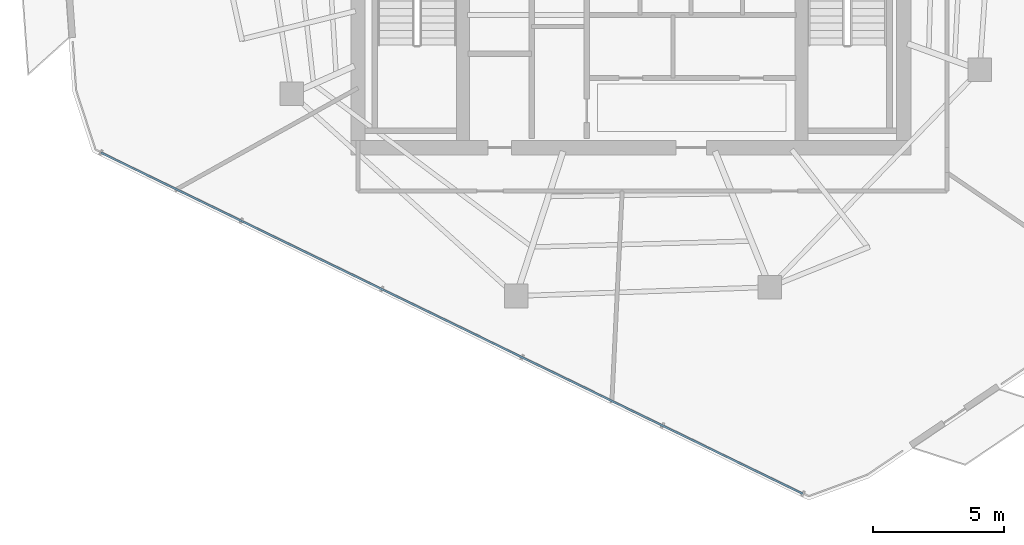
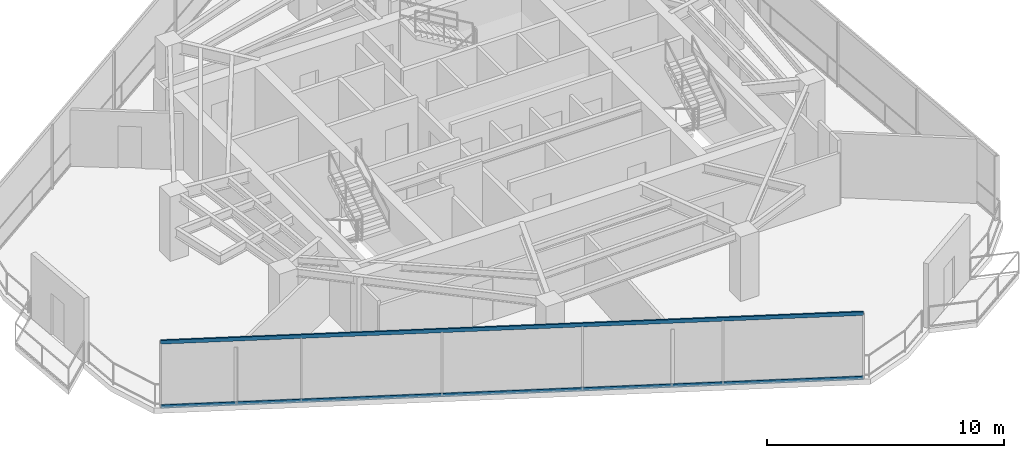
# One storey, part 3 of 20: 2 members, 1 element without a shape of its own.
"""IFC4 building model written with IfcOpenShell, lengths in metres."""

from ifc_helpers import new_model, si_unit, direction, frame, origin, origin_2d, place, context, subcontext, project, spatial, hollow_rectangle, extrude, material, layer, layer_set, material_profile, profile_set, type_object, element, aggregate, save


model = new_model("IFC4")

# Units and contexts
model_context = context("Model", 3, precision=1e-05, world=origin(), true_north=direction((0.0, 1.0)))
body_context = subcontext(model_context, "Body", "Model", "MODEL_VIEW")
ifc_project = project(units=[si_unit("LENGTHUNIT", "METRE"), si_unit("AREAUNIT", "SQUARE_METRE"), si_unit("VOLUMEUNIT", "CUBIC_METRE"), si_unit("PLANEANGLEUNIT", "RADIAN"), si_unit("MASSUNIT", "GRAM", prefix="KILO")], contexts=[model_context])

# Site, building, storey
site_placement = place(None, origin())
site = spatial("IfcSite", under=ifc_project, at=site_placement, CompositionType="ELEMENT")
building_placement = place(site_placement, origin())
building = spatial("IfcBuilding", under=site, at=building_placement, Name="Qarnah Convention Tower", CompositionType="ELEMENT")
storey_placement = place(building_placement, frame((0.0, 0.0, 195.0)))
storey = spatial("IfcBuildingStorey", under=building, at=storey_placement, Name="L52", CompositionType="ELEMENT", Elevation=195.0)

# Curtain wall, members
ifc_material_1 = material(Name="Tempered Low-E dark glass", Category="glass")
ifc_layer = layer(ifc_material_1, 0.174072265625)
ifc_layer_set = layer_set([ifc_layer], Name="Tempered Low-E dark glass")
curtain_wall_type = type_object("IfcCurtainWallType", Name="CWS-04", PredefinedType="NOTDEFINED", material=ifc_layer_set)
curtain_wall_placement = place(storey_placement, origin())
curtain_wall = element("IfcCurtainWall", 1, at=curtain_wall_placement, inside=storey, type_object=curtain_wall_type, Name="L52 unitised curtain wall CW-L52-F2", PredefinedType="NOTDEFINED")
ifc_material_2 = material(Name="Black anodised aluminium", Category="aluminium")
ifc_material_profile = material_profile(ifc_material_2, hollow_rectangle(XDim=0.074951171875, YDim=0.18994140625, WallThickness=0.0048828125, at=origin_2d()), Name="TRN-75X190")
ifc_profile_set = profile_set([ifc_material_profile], Name="Black anodised aluminium")
member_type = type_object("IfcMemberType", Name="TRN-T4", PredefinedType="USERDEFINED", material=ifc_profile_set)
member_1_placement = place(storey_placement, frame((43.758056640625, 5.39990234375, 0.0), z_axis=(-0.899397743066, 0.437131215732, 0.0), x_axis=(-0.437131215732, -0.899397743066, 0.0)))
member_1 = element("IfcMember", 2, at=member_1_placement, type_object=member_type, Name="CW-L52-F2 transom 1", ObjectType="TRANSOM", PredefinedType="USERDEFINED", context=body_context, shape_type="SweptSolid", body=[
    extrude(hollow_rectangle(XDim=0.074951171875, YDim=0.18994140625, WallThickness=0.0048828125, at=origin_2d()), origin(), (0.0, 0.0, 1.0), 29.7509765625),
])
member_2_placement = place(storey_placement, frame((43.758056640625, 5.39990234375, 3.320068359375), z_axis=(-0.899397743066, 0.437131215732, 0.0), x_axis=(-0.437131215732, -0.899397743066, 0.0)))
member_2 = element("IfcMember", 3, at=member_2_placement, type_object=member_type, Name="CW-L52-F2 transom 2", ObjectType="TRANSOM", PredefinedType="USERDEFINED", context=body_context, shape_type="SweptSolid", body=[
    extrude(hollow_rectangle(XDim=0.074951171875, YDim=0.18994140625, WallThickness=0.0048828125, at=origin_2d()), origin(), (0.0, 0.0, 1.0), 29.7509765625),
])
aggregate(curtain_wall, [member_1, member_2])

save(model, "model.ifc")
